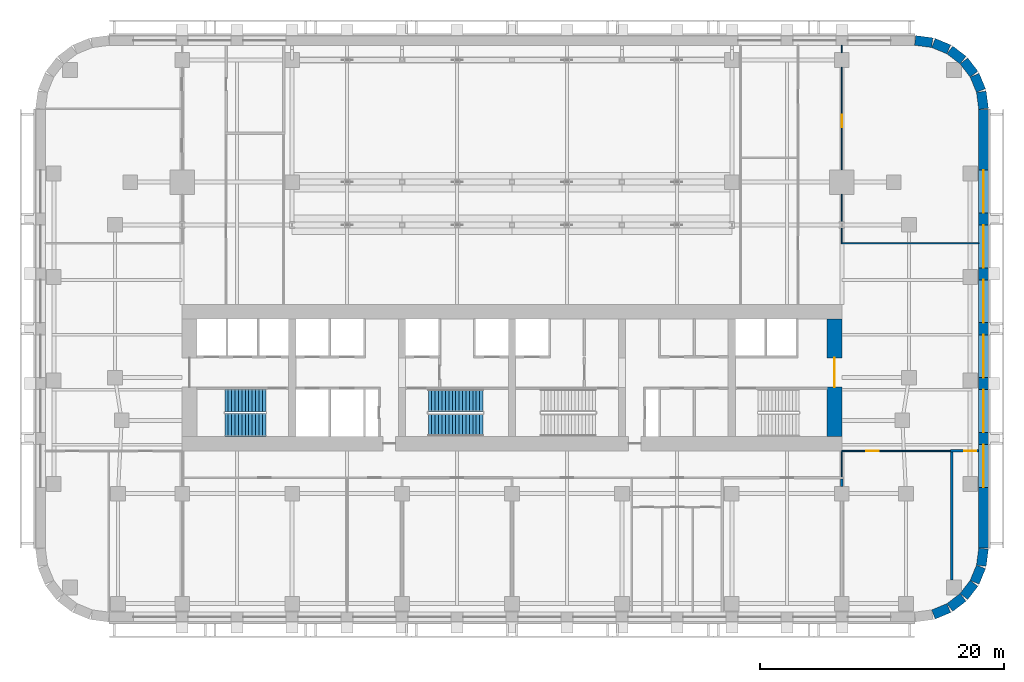
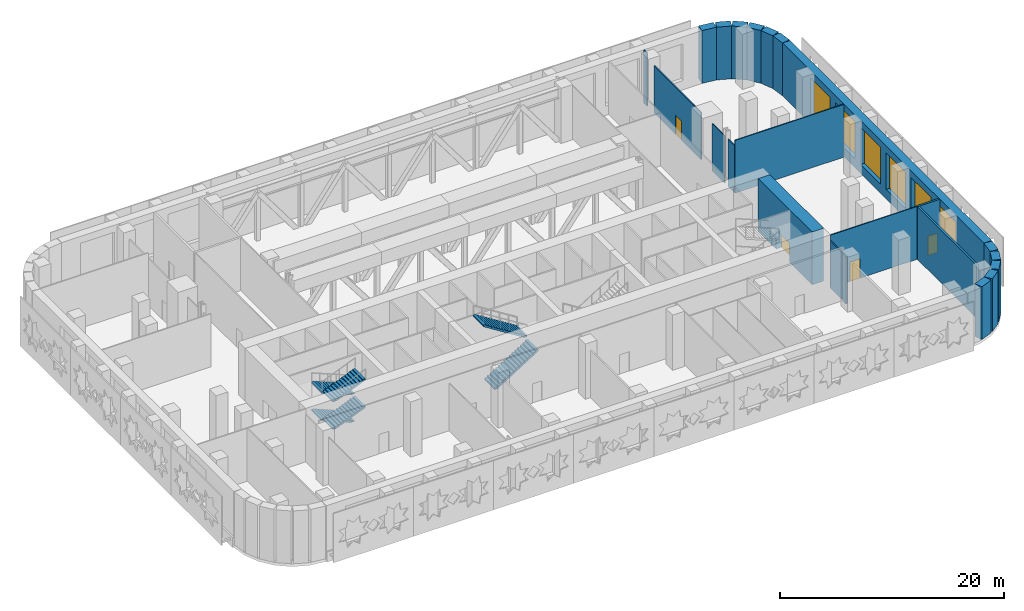
# One storey, part 9 of 15: 23 walls, 6 stair flights, 6 windows, 4 doors, 10 openings, 2 elements without a shape of their own.
"""IFC4 building model written with IfcOpenShell, lengths in metres."""

from ifc_helpers import new_model, si_unit, direction, frame, frame_2d, origin, place, context, subcontext, project, spatial, polyline, rectangle, outline, extrude, material, layer, layer_set, type_object, element, fill, aggregate, save


model = new_model("IFC4")

# Units and contexts
model_context = context("Model", 3, precision=1e-05, world=origin(), true_north=direction((0.0, 1.0)))
body_context = subcontext(model_context, "Body", "Model", "MODEL_VIEW")
ifc_project = project(units=[si_unit("LENGTHUNIT", "METRE"), si_unit("AREAUNIT", "SQUARE_METRE"), si_unit("VOLUMEUNIT", "CUBIC_METRE"), si_unit("PLANEANGLEUNIT", "RADIAN"), si_unit("MASSUNIT", "GRAM", prefix="KILO")], contexts=[model_context])

# Site, building, storey
site_placement = place(None, origin())
site = spatial("IfcSite", under=ifc_project, at=site_placement, CompositionType="ELEMENT")
building_placement = place(site_placement, origin())
building = spatial("IfcBuilding", under=site, at=building_placement, Name="Zellij Exchange Tower", CompositionType="ELEMENT")
storey_placement = place(building_placement, frame((0.0, 0.0, 33.0)))
storey = spatial("IfcBuildingStorey", under=building, at=storey_placement, Name="L05", CompositionType="ELEMENT", Elevation=33.0)

# Wall, opening, door
ifc_material_1 = material(Name="Concrete C70/85", Category="concrete")
ifc_layer_1 = layer(ifc_material_1, 1.199951171875)
ifc_layer_set_1 = layer_set([ifc_layer_1], Name="Concrete C70/85")
wall_type_1 = type_object("IfcWallType", Name="CORE-SW 1200 C70/85", PredefinedType="SHEAR", material=ifc_layer_set_1)
wall_1_placement = place(storey_placement, frame((26.39990234375, -12.800048828125, 0.0), z_axis=(0.0, 0.0, 1.0), x_axis=(0.0, 1.0, 0.0)))
wall_1 = element("IfcWall", 1, at=wall_1_placement, inside=storey, type_object=wall_type_1, Name="Core shear wall end e L05", PredefinedType="SHEAR", context=body_context, shape_type="SweptSolid", body=[
    extrude(rectangle(XDim=9.60009765625, YDim=1.199951171875, at=frame_2d((4.800048828125, 0.0))), origin(), (0.0, 0.0, 1.0), 5.75),
])
opening_1_placement = place(wall_1_placement, frame((4.011962890625, 0.0, 0.0)))
opening_1 = element("IfcOpeningElement", 2, at=opening_1_placement, cuts=wall_1, Name="Opening CA-05.26", PredefinedType="OPENING", context=body_context, shape_type="SweptSolid", body=[
    extrude(rectangle(XDim=2.39990234375, YDim=2.10009765625, at=frame_2d((1.199951171875, 1.050048828125))), frame((0.0, 0.61181640625, 0.0), z_axis=(0.0, -1.0, 0.0), x_axis=(1.0, 0.0, 0.0)), (0.0, 0.0, 1.0), 1.223876953125),
])
ifc_material_2 = material(Name="Hollow metal fire door")
door_type_1 = type_object("IfcDoorType", Name="CORE-D CE Core entrance door 2400x2100 20 MIN", OperationType="NOTDEFINED", PredefinedType="DOOR", material=ifc_material_2)
door_1_placement = place(opening_1_placement, origin())
door_1 = element("IfcDoor", 3, at=door_1_placement, inside=storey, type_object=door_type_1, Name="Core entrance door CA-05.26", OperationType="DOUBLE_DOOR_SINGLE_SWING", OverallHeight=2.10009765625, OverallWidth=2.39990234375, PredefinedType="DOOR", context=body_context, shape_type="SweptSolid", body=[
    extrude(rectangle(XDim=2.39990234375, YDim=2.10009765625, at=frame_2d((1.199951171875, 1.050048828125))), frame((0.0, 0.02490234375, 0.0), z_axis=(0.0, -1.0, 0.0), x_axis=(1.0, 0.0, 0.0)), (0.0, 0.0, 1.0), 0.050048828125),
])
fill(opening_1, door_1)

# Walls
ifc_material_3 = material(Name="Precast concrete C40/50", Category="concrete")
ifc_layer_2 = layer(ifc_material_3, 0.800048828125)
ifc_layer_set_2 = layer_set([ifc_layer_2], Name="Precast concrete C40/50")
wall_type_2 = type_object("IfcWallType", Name="ENV-EW1 Precast stone-piered wall 800", PredefinedType="SOLIDWALL", material=ifc_layer_set_2)
wall_2_placement = place(storey_placement, frame((34.497314453125, -27.3857421875, 0.0), z_axis=(0.0, 0.0, 1.0), x_axis=(0.923847774587, 0.38276009378, 0.0)))
element("IfcWall", 4, at=wall_2_placement, inside=storey, type_object=wall_type_2, Name="fac.L05.02", PredefinedType="SOLIDWALL", context=body_context, shape_type="SweptSolid", body=[
    extrude(rectangle(XDim=1.35546875, YDim=0.800048828125, at=frame_2d((0.677734375, 0.0))), origin(), (0.0, 0.0, 1.0), 5.75),
])
for number, where, z_axis, x_axis, name in (
    (5, (35.840087890625, -26.814697265625, 0.0), (0.0, 0.0, 1.0), (0.793272915452, 0.608866226366, 0.0), "fac.L05.03"),
    (6, (36.9892578125, -25.91552734375, 0.0), (0.0, 0.0, 1.0), (0.608866226366, 0.793272915452, 0.0), "fac.L05.04"),
):
    element("IfcWall", number, at=place(storey_placement, frame(where, z_axis=z_axis, x_axis=x_axis)), inside=storey, type_object=wall_type_2, Name=name, PredefinedType="SOLIDWALL", context=body_context, shape_type="SweptSolid", body=[
        extrude(rectangle(XDim=1.355712890625, YDim=0.800048828125, at=frame_2d((0.677734375, 0.0))), origin(), (0.0, 0.0, 1.0), 5.75),
    ])
wall_3_placement = place(storey_placement, frame((37.866943359375, -24.74951171875, 0.0), z_axis=(0.0, 0.0, 1.0), x_axis=(0.38276009378, 0.923847774587, 0.0)))
element("IfcWall", 7, at=wall_3_placement, inside=storey, type_object=wall_type_2, Name="fac.L05.05", PredefinedType="SOLIDWALL", context=body_context, shape_type="SweptSolid", body=[
    extrude(rectangle(XDim=1.35546875, YDim=0.800048828125, at=frame_2d((0.677734375, 0.0))), origin(), (0.0, 0.0, 1.0), 5.75),
])
wall_4_placement = place(storey_placement, frame((38.412841796875, -23.396240234375, 0.0), z_axis=(0.0, 0.0, 1.0), x_axis=(0.130517283865, 0.99144603414, 0.0)))
element("IfcWall", 8, at=wall_4_placement, inside=storey, type_object=wall_type_2, Name="fac.L05.06", PredefinedType="SOLIDWALL", context=body_context, shape_type="SweptSolid", body=[
    extrude(rectangle(XDim=1.408447265625, YDim=0.800048828125, at=frame_2d((0.7041015625, 0.0))), origin(), (0.0, 0.0, 1.0), 5.75),
])

# Wall, openings, windows
wall_5_placement = place(storey_placement, frame((38.60009765625, -21.947509765625, 0.0), z_axis=(0.0, 0.0, 1.0), x_axis=(0.0, 1.0, 0.0)))
wall_5 = element("IfcWall", 9, at=wall_5_placement, inside=storey, type_object=wall_type_2, Name="fac.L05.07", PredefinedType="SOLIDWALL", context=body_context, shape_type="SweptSolid", body=[
    extrude(rectangle(XDim=35.89501953125, YDim=0.800048828125, at=frame_2d((17.947509765625, 0.0))), origin(), (0.0, 0.0, 1.0), 5.75),
])
opening_2_placement = place(wall_5_placement, frame((4.9638671875, 0.0, 1.0)))
opening_2 = element("IfcOpeningElement", 10, at=opening_2_placement, cuts=wall_5, Name="Opening FP.15", PredefinedType="OPENING", context=body_context, shape_type="SweptSolid", body=[
    extrude(rectangle(XDim=3.5, YDim=4.0, at=frame_2d((1.75, 2.0))), frame((0.0, 0.412109375, 0.0), z_axis=(0.0, -1.0, 0.0), x_axis=(1.0, 0.0, 0.0)), (0.0, 0.0, 1.0), 0.823974609375),
])
opening_3_placement = place(wall_5_placement, frame((9.45751953125, 0.0, 1.0)))
opening_3 = element("IfcOpeningElement", 11, at=opening_3_placement, cuts=wall_5, Name="Opening FP.16", PredefinedType="OPENING", context=body_context, shape_type="SweptSolid", body=[
    extrude(rectangle(XDim=3.5, YDim=4.0, at=frame_2d((1.75, 2.0))), frame((0.0, 0.412109375, 0.0), z_axis=(0.0, -1.0, 0.0), x_axis=(1.0, 0.0, 0.0)), (0.0, 0.0, 1.0), 0.823974609375),
])
opening_4_placement = place(wall_5_placement, frame((13.950927734375, 0.0, 1.0)))
opening_4 = element("IfcOpeningElement", 12, at=opening_4_placement, cuts=wall_5, Name="Opening FP.17", PredefinedType="OPENING", context=body_context, shape_type="SweptSolid", body=[
    extrude(rectangle(XDim=3.5, YDim=4.0, at=frame_2d((1.75, 2.0))), frame((0.0, 0.412109375, 0.0), z_axis=(0.0, -1.0, 0.0), x_axis=(1.0, 0.0, 0.0)), (0.0, 0.0, 1.0), 0.823974609375),
])
opening_5_placement = place(wall_5_placement, frame((18.4443359375, 0.0, 1.0)))
opening_5 = element("IfcOpeningElement", 13, at=opening_5_placement, cuts=wall_5, Name="Opening FP.18", PredefinedType="OPENING", context=body_context, shape_type="SweptSolid", body=[
    extrude(rectangle(XDim=3.5, YDim=4.0, at=frame_2d((1.75, 2.0))), frame((0.0, 0.412109375, 0.0), z_axis=(0.0, -1.0, 0.0), x_axis=(1.0, 0.0, 0.0)), (0.0, 0.0, 1.0), 0.823974609375),
])
opening_6_placement = place(wall_5_placement, frame((22.937744140625, 0.0, 1.0)))
opening_6 = element("IfcOpeningElement", 14, at=opening_6_placement, cuts=wall_5, Name="Opening FP.19", PredefinedType="OPENING", context=body_context, shape_type="SweptSolid", body=[
    extrude(rectangle(XDim=3.5, YDim=4.0, at=frame_2d((1.75, 2.0))), frame((0.0, 0.412109375, 0.0), z_axis=(0.0, -1.0, 0.0), x_axis=(1.0, 0.0, 0.0)), (0.0, 0.0, 1.0), 0.823974609375),
])
opening_7_placement = place(wall_5_placement, frame((27.43115234375, 0.0, 1.0)))
opening_7 = element("IfcOpeningElement", 15, at=opening_7_placement, cuts=wall_5, Name="Opening FP.20", PredefinedType="OPENING", context=body_context, shape_type="SweptSolid", body=[
    extrude(rectangle(XDim=3.5, YDim=4.0, at=frame_2d((1.75, 2.0))), frame((0.0, 0.412109375, 0.0), z_axis=(0.0, -1.0, 0.0), x_axis=(1.0, 0.0, 0.0)), (0.0, 0.0, 1.0), 0.823974609375),
])
ifc_material_4 = material(Name="Aluminium frame with insulating glass", Category="aluminium")
window_type = type_object("IfcWindowType", Name="ENV-W2 Window 3500x4000", PartitioningType="SINGLE_PANEL", PredefinedType="WINDOW", material=ifc_material_4)
window_1_placement = place(opening_2_placement, origin())
window_1 = element("IfcWindow", 16, at=window_1_placement, inside=storey, type_object=window_type, Name="Window FP.15", OverallHeight=4.0, OverallWidth=3.5, PartitioningType="SINGLE_PANEL", PredefinedType="WINDOW", context=body_context, shape_type="SweptSolid", body=[
    extrude(rectangle(XDim=3.5, YDim=4.0, at=frame_2d((1.75, 2.0))), frame((0.0, 0.030029296875, 0.0), z_axis=(0.0, -1.0, 0.0), x_axis=(1.0, 0.0, 0.0)), (0.0, 0.0, 1.0), 0.06005859375),
])
fill(opening_2, window_1)
window_2_placement = place(opening_3_placement, origin())
window_2 = element("IfcWindow", 17, at=window_2_placement, inside=storey, type_object=window_type, Name="Window FP.16", OverallHeight=4.0, OverallWidth=3.5, PartitioningType="SINGLE_PANEL", PredefinedType="WINDOW", context=body_context, shape_type="SweptSolid", body=[
    extrude(rectangle(XDim=3.5, YDim=4.0, at=frame_2d((1.75, 2.0))), frame((0.0, 0.030029296875, 0.0), z_axis=(0.0, -1.0, 0.0), x_axis=(1.0, 0.0, 0.0)), (0.0, 0.0, 1.0), 0.06005859375),
])
fill(opening_3, window_2)
window_3_placement = place(opening_4_placement, origin())
window_3 = element("IfcWindow", 18, at=window_3_placement, inside=storey, type_object=window_type, Name="Window FP.17", OverallHeight=4.0, OverallWidth=3.5, PartitioningType="SINGLE_PANEL", PredefinedType="WINDOW", context=body_context, shape_type="SweptSolid", body=[
    extrude(rectangle(XDim=3.5, YDim=4.0, at=frame_2d((1.75, 2.0))), frame((0.0, 0.030029296875, 0.0), z_axis=(0.0, -1.0, 0.0), x_axis=(1.0, 0.0, 0.0)), (0.0, 0.0, 1.0), 0.06005859375),
])
fill(opening_4, window_3)
window_4_placement = place(opening_5_placement, origin())
window_4 = element("IfcWindow", 19, at=window_4_placement, inside=storey, type_object=window_type, Name="Window FP.18", OverallHeight=4.0, OverallWidth=3.5, PartitioningType="SINGLE_PANEL", PredefinedType="WINDOW", context=body_context, shape_type="SweptSolid", body=[
    extrude(rectangle(XDim=3.5, YDim=4.0, at=frame_2d((1.75, 2.0))), frame((0.0, 0.030029296875, 0.0), z_axis=(0.0, -1.0, 0.0), x_axis=(1.0, 0.0, 0.0)), (0.0, 0.0, 1.0), 0.06005859375),
])
fill(opening_5, window_4)
window_5_placement = place(opening_6_placement, origin())
window_5 = element("IfcWindow", 20, at=window_5_placement, inside=storey, type_object=window_type, Name="Window FP.19", OverallHeight=4.0, OverallWidth=3.5, PartitioningType="SINGLE_PANEL", PredefinedType="WINDOW", context=body_context, shape_type="SweptSolid", body=[
    extrude(rectangle(XDim=3.5, YDim=4.0, at=frame_2d((1.75, 2.0))), frame((0.0, 0.030029296875, 0.0), z_axis=(0.0, -1.0, 0.0), x_axis=(1.0, 0.0, 0.0)), (0.0, 0.0, 1.0), 0.06005859375),
])
fill(opening_6, window_5)
window_6_placement = place(opening_7_placement, origin())
window_6 = element("IfcWindow", 21, at=window_6_placement, inside=storey, type_object=window_type, Name="Window FP.20", OverallHeight=4.0, OverallWidth=3.5, PartitioningType="SINGLE_PANEL", PredefinedType="WINDOW", context=body_context, shape_type="SweptSolid", body=[
    extrude(rectangle(XDim=3.5, YDim=4.0, at=frame_2d((1.75, 2.0))), frame((0.0, 0.030029296875, 0.0), z_axis=(0.0, -1.0, 0.0), x_axis=(1.0, 0.0, 0.0)), (0.0, 0.0, 1.0), 0.06005859375),
])
fill(opening_7, window_6)

# Walls
wall_6_placement = place(storey_placement, frame((38.5966796875, 13.999755859375, 0.0), z_axis=(0.0, 0.0, 1.0), x_axis=(-0.130517283865, 0.99144603414, 0.0)))
element("IfcWall", 22, at=wall_6_placement, inside=storey, type_object=wall_type_2, Name="fac.L05.08", PredefinedType="SOLIDWALL", context=body_context, shape_type="SweptSolid", body=[
    extrude(rectangle(XDim=1.408447265625, YDim=0.800048828125, at=frame_2d((0.7041015625, 0.0))), origin(), (0.0, 0.0, 1.0), 5.75),
])
wall_7_placement = place(storey_placement, frame((38.3857421875, 15.497314453125, 0.0), z_axis=(0.0, 0.0, 1.0), x_axis=(-0.38276009378, 0.923847774587, 0.0)))
element("IfcWall", 23, at=wall_7_placement, inside=storey, type_object=wall_type_2, Name="fac.L05.09", PredefinedType="SOLIDWALL", context=body_context, shape_type="SweptSolid", body=[
    extrude(rectangle(XDim=1.35546875, YDim=0.800048828125, at=frame_2d((0.677734375, 0.0))), origin(), (0.0, 0.0, 1.0), 5.75),
])
for number, where, z_axis, x_axis, name in (
    (24, (37.814697265625, 16.840087890625, 0.0), (0.0, 0.0, 1.0), (-0.608866226366, 0.793272915452, 0.0), "fac.L05.10"),
    (25, (36.91552734375, 17.9892578125, 0.0), (0.0, 0.0, 1.0), (-0.793272915452, 0.608866226366, 0.0), "fac.L05.11"),
):
    element("IfcWall", number, at=place(storey_placement, frame(where, z_axis=z_axis, x_axis=x_axis)), inside=storey, type_object=wall_type_2, Name=name, PredefinedType="SOLIDWALL", context=body_context, shape_type="SweptSolid", body=[
        extrude(rectangle(XDim=1.355712890625, YDim=0.800048828125, at=frame_2d((0.677734375, 0.0))), origin(), (0.0, 0.0, 1.0), 5.75),
    ])
wall_8_placement = place(storey_placement, frame((35.74951171875, 18.866943359375, 0.0), z_axis=(0.0, 0.0, 1.0), x_axis=(-0.923847774587, 0.38276009378, 0.0)))
element("IfcWall", 26, at=wall_8_placement, inside=storey, type_object=wall_type_2, Name="fac.L05.12", PredefinedType="SOLIDWALL", context=body_context, shape_type="SweptSolid", body=[
    extrude(rectangle(XDim=1.35546875, YDim=0.800048828125, at=frame_2d((0.677734375, 0.0))), origin(), (0.0, 0.0, 1.0), 5.75),
])
wall_9_placement = place(storey_placement, frame((34.396240234375, 19.412841796875, 0.0), z_axis=(0.0, 0.0, 1.0), x_axis=(-0.99144603414, 0.130517283865, 0.0)))
element("IfcWall", 27, at=wall_9_placement, inside=storey, type_object=wall_type_2, Name="fac.L05.13", PredefinedType="SOLIDWALL", context=body_context, shape_type="SweptSolid", body=[
    extrude(rectangle(XDim=1.408447265625, YDim=0.800048828125, at=frame_2d((0.7041015625, 0.0))), origin(), (0.0, 0.0, 1.0), 5.75),
])
ifc_material_5 = material(Name="Blockwork partition", Category="masonry")
ifc_layer_3 = layer(ifc_material_5, 0.199951171875)
ifc_layer_set_3 = layer_set([ifc_layer_3], Name="Blockwork partition")
wall_type_3 = type_object("IfcWallType", Name="FIT-BLOCKWORK-200", PredefinedType="PARTITIONING", material=ifc_layer_set_3)
wall_10_placement = place(storey_placement, frame((27.0, -16.89990234375, 0.0), z_axis=(0.0, 0.0, 1.0), x_axis=(0.0, 1.0, 0.0)))
element("IfcWall", 28, at=wall_10_placement, inside=storey, type_object=wall_type_3, Name="FIT-BLOCKWORK-200 014", PredefinedType="PARTITIONING", context=body_context, shape_type="SweptSolid", body=[
    extrude(rectangle(XDim=0.599853515625, YDim=0.199951171875, at=frame_2d((0.2998046875, 0.0))), origin(), (0.0, 0.0, 1.0), 5.137939453125),
])
wall_11_placement = place(storey_placement, frame((36.0, -24.58203125, 0.0), z_axis=(0.0, 0.0, 1.0), x_axis=(0.0, 1.0, 0.0)))
element("IfcWall", 29, at=wall_11_placement, inside=storey, type_object=wall_type_3, Name="FIT-BLOCKWORK-200 016", PredefinedType="PARTITIONING", context=body_context, shape_type="SweptSolid", body=[
    extrude(rectangle(XDim=10.48193359375, YDim=0.199951171875, at=frame_2d((5.240966796875, 0.0))), origin(), (0.0, 0.0, 1.0), 5.75),
])

# Wall, opening, door
wall_12_placement = place(storey_placement, frame((35.89990234375, -14.0, 0.0), z_axis=(0.0, 0.0, 1.0), x_axis=(1.0, 0.0, 0.0)))
wall_12 = element("IfcWall", 30, at=wall_12_placement, inside=storey, type_object=wall_type_3, Name="FIT-BLOCKWORK-200 025", PredefinedType="PARTITIONING", context=body_context, shape_type="SweptSolid", body=[
    extrude(rectangle(XDim=2.300048828125, YDim=0.199951171875, at=frame_2d((1.14990234375, 0.0))), origin(), (0.0, 0.0, 1.0), 5.75),
])
opening_8_placement = place(wall_12_placement, frame((1.10009765625, 0.0, 0.0)))
opening_8 = element("IfcOpeningElement", 31, at=opening_8_placement, cuts=wall_12, Name="Opening P5.13", PredefinedType="OPENING", context=body_context, shape_type="SweptSolid", body=[
    extrude(rectangle(XDim=1.0, YDim=2.10009765625, at=frame_2d((0.5, 1.050048828125))), frame((0.0, 0.11181640625, 0.0), z_axis=(0.0, -1.0, 0.0), x_axis=(1.0, 0.0, 0.0)), (0.0, 0.0, 1.0), 0.223876953125),
])
ifc_material_6 = material(Name="Timber door set", Category="wood")
door_type_2 = type_object("IfcDoorType", Name="FIT-D2-WIDE-1000X2100", OperationType="SINGLE_SWING_LEFT", PredefinedType="DOOR", material=ifc_material_6)
door_2_placement = place(opening_8_placement, origin())
door_2 = element("IfcDoor", 32, at=door_2_placement, inside=storey, type_object=door_type_2, Name="Door P5.13", OperationType="SINGLE_SWING_LEFT", OverallHeight=2.10009765625, OverallWidth=1.0, PredefinedType="DOOR", context=body_context, shape_type="SweptSolid", body=[
    extrude(rectangle(XDim=1.0, YDim=2.10009765625, at=frame_2d((0.5, 1.050048828125))), frame((0.0, 0.02490234375, 0.0), z_axis=(0.0, -1.0, 0.0), x_axis=(1.0, 0.0, 0.0)), (0.0, 0.0, 1.0), 0.050048828125),
])
fill(opening_8, door_2)

# Wall
ifc_material_7 = material(Name="Gypsum board partition on steel studs", Category="steel")
ifc_layer_4 = layer(ifc_material_7, 0.10009765625)
ifc_layer_set_4 = layer_set([ifc_layer_4], Name="Gypsum board partition on steel studs")
wall_type_4 = type_object("IfcWallType", Name="FIT-PARTITION-100", PredefinedType="PARTITIONING", material=ifc_layer_set_4)
wall_13_placement = place(storey_placement, frame((27.0, -16.10009765625, 0.0), z_axis=(0.0, 0.0, 1.0), x_axis=(0.0, 1.0, 0.0)))
element("IfcWall", 33, at=wall_13_placement, inside=storey, type_object=wall_type_4, Name="FIT-PARTITION-100 022", PredefinedType="PARTITIONING", context=body_context, shape_type="SweptSolid", body=[
    extrude(rectangle(XDim=2.050048828125, YDim=0.10009765625, at=frame_2d((1.02490234375, 0.0))), origin(), (0.0, 0.0, 1.0), 5.137939453125),
])

# Wall, opening, door
wall_14_placement = place(storey_placement, frame((27.0, -14.0, 0.0), z_axis=(0.0, 0.0, 1.0), x_axis=(1.0, 0.0, 0.0)))
wall_14 = element("IfcWall", 34, at=wall_14_placement, inside=storey, type_object=wall_type_4, Name="FIT-PARTITION-100 024", PredefinedType="PARTITIONING", context=body_context, shape_type="SweptSolid", body=[
    extrude(rectangle(XDim=9.10009765625, YDim=0.10009765625, at=frame_2d((4.550048828125, 0.0))), origin(), (0.0, 0.0, 1.0), 5.75),
])
opening_9_placement = place(wall_14_placement, frame((2.0, 0.0, 0.0)))
opening_9 = element("IfcOpeningElement", 35, at=opening_9_placement, cuts=wall_14, Name="Opening P5.12", PredefinedType="OPENING", context=body_context, shape_type="SweptSolid", body=[
    extrude(rectangle(XDim=1.0, YDim=2.10009765625, at=frame_2d((0.5, 1.050048828125))), frame((0.0, 0.06201171875, 0.0), z_axis=(0.0, -1.0, 0.0), x_axis=(1.0, 0.0, 0.0)), (0.0, 0.0, 1.0), 0.1240234375),
])
door_3_placement = place(opening_9_placement, origin())
door_3 = element("IfcDoor", 36, at=door_3_placement, inside=storey, type_object=door_type_2, Name="Door P5.12", OperationType="SINGLE_SWING_RIGHT", OverallHeight=2.10009765625, OverallWidth=1.0, PredefinedType="DOOR", context=body_context, shape_type="SweptSolid", body=[
    extrude(rectangle(XDim=1.0, YDim=2.10009765625, at=frame_2d((0.5, 1.050048828125))), frame((0.0, 0.02490234375, 0.0), z_axis=(0.0, -1.0, 0.0), x_axis=(1.0, 0.0, 0.0)), (0.0, 0.0, 1.0), 0.050048828125),
])
fill(opening_9, door_3)

# Walls
wall_15_placement = place(storey_placement, frame((26.949951171875, 3.0, 0.0), z_axis=(0.0, 0.0, 1.0), x_axis=(1.0, 0.0, 0.0)))
element("IfcWall", 37, at=wall_15_placement, inside=storey, type_object=wall_type_4, Name="FIT-PARTITION-100 035", PredefinedType="PARTITIONING", context=body_context, shape_type="SweptSolid", body=[
    extrude(rectangle(XDim=11.25, YDim=0.10009765625, at=frame_2d((5.625, 0.0))), origin(), (0.0, 0.0, 1.0), 5.75),
])
wall_16_placement = place(storey_placement, frame((27.0, 3.050048828125, 0.0), z_axis=(0.0, 0.0, 1.0), x_axis=(0.0, 1.0, 0.0)))
element("IfcWall", 38, at=wall_16_placement, inside=storey, type_object=wall_type_4, Name="FIT-PARTITION-100 036", PredefinedType="PARTITIONING", context=body_context, shape_type="SweptSolid", body=[
    extrude(rectangle(XDim=1.16552734375, YDim=0.10009765625, at=frame_2d((0.582763671875, 0.0))), origin(), (0.0, 0.0, 1.0), 5.137939453125),
])
wall_17_placement = place(storey_placement, frame((27.0, 4.784423828125, 0.0), z_axis=(0.0, 0.0, 1.0), x_axis=(0.0, 1.0, 0.0)))
element("IfcWall", 39, at=wall_17_placement, inside=storey, type_object=wall_type_4, Name="FIT-PARTITION-100 037", PredefinedType="PARTITIONING", context=body_context, shape_type="SweptSolid", body=[
    extrude(rectangle(XDim=2.215576171875, YDim=0.10009765625, at=frame_2d((1.10791015625, 0.0))), origin(), (0.0, 0.0, 1.0), 5.137939453125),
])

# Wall, opening, door
wall_18_placement = place(storey_placement, frame((27.0, 9.0, 0.0), z_axis=(0.0, 0.0, 1.0), x_axis=(0.0, 1.0, 0.0)))
wall_18 = element("IfcWall", 40, at=wall_18_placement, inside=storey, type_object=wall_type_4, Name="FIT-PARTITION-100 038", PredefinedType="PARTITIONING", context=body_context, shape_type="SweptSolid", body=[
    extrude(rectangle(XDim=8.39990234375, YDim=0.10009765625, at=frame_2d((4.199951171875, 0.0))), origin(), (0.0, 0.0, 1.0), 5.137939453125),
])
opening_10_placement = place(wall_18_placement, frame((3.5, 0.0, 0.0)))
opening_10 = element("IfcOpeningElement", 41, at=opening_10_placement, cuts=wall_18, Name="Opening P5.17", PredefinedType="OPENING", context=body_context, shape_type="SweptSolid", body=[
    extrude(rectangle(XDim=1.0, YDim=2.10009765625, at=frame_2d((0.5, 1.050048828125))), frame((0.0, 0.06201171875, 0.0), z_axis=(0.0, -1.0, 0.0), x_axis=(1.0, 0.0, 0.0)), (0.0, 0.0, 1.0), 0.1240234375),
])
door_4_placement = place(opening_10_placement, origin())
door_4 = element("IfcDoor", 42, at=door_4_placement, inside=storey, type_object=door_type_2, Name="Door P5.17", OperationType="SINGLE_SWING_LEFT", OverallHeight=2.10009765625, OverallWidth=1.0, PredefinedType="DOOR", context=body_context, shape_type="SweptSolid", body=[
    extrude(rectangle(XDim=1.0, YDim=2.10009765625, at=frame_2d((0.5, 1.050048828125))), frame((0.0, 0.02490234375, 0.0), z_axis=(0.0, -1.0, 0.0), x_axis=(1.0, 0.0, 0.0)), (0.0, 0.0, 1.0), 0.050048828125),
])
fill(opening_10, door_4)

# Wall
wall_19_placement = place(storey_placement, frame((27.0, 18.60009765625, 0.0), z_axis=(0.0, 0.0, 1.0), x_axis=(0.0, 1.0, 0.0)))
element("IfcWall", 43, at=wall_19_placement, inside=storey, type_object=wall_type_4, Name="FIT-PARTITION-100 039", PredefinedType="PARTITIONING", context=body_context, shape_type="SweptSolid", body=[
    extrude(rectangle(XDim=0.599853515625, YDim=0.10009765625, at=frame_2d((0.2998046875, 0.0))), origin(), (0.0, 0.0, 1.0), 5.75),
])

# Stair, stair flights
ifc_material_8 = material(Name="Concrete C40/50", Category="concrete")
stair_type = type_object("IfcStairType", Name="CORE-ST exit stair 1850 wide", PredefinedType="HALF_TURN_STAIR", material=ifc_material_8)
stair_1_placement = place(storey_placement, origin())
stair_1 = element("IfcStair", 44, at=stair_1_placement, inside=storey, type_object=stair_type, Name="L05 exit stair ST1", PredefinedType="HALF_TURN_STAIR")
stair_flight_type_1 = type_object("IfcStairFlightType", Name="CORE-SF flight 1850 riser 115.4 going 280", PredefinedType="STRAIGHT", material=ifc_material_8)
stair_flight_1_placement = place(storey_placement, frame((-20.14990234375, -9.875, 0.0), z_axis=(0.0, 0.0, 1.0), x_axis=(-1.0, 0.0, 0.0)))
stair_flight_1 = element("IfcStairFlight", 45, at=stair_flight_1_placement, type_object=stair_flight_type_1, Name="ST1 flight 1", NumberOfRisers=13, NumberOfTreads=12, PredefinedType="STRAIGHT", RiserHeight=0.115384615, TreadLength=0.28, context=body_context, shape_type="SweptSolid", body=[
    extrude(outline(polyline([(0.0, 0.0), (0.0, 0.115478515625), (0.280029296875, 0.115478515625), (0.280029296875, 0.230712890625), (0.56005859375, 0.230712890625), (0.56005859375, 0.34619140625), (0.840087890625, 0.34619140625), (0.840087890625, 0.46142578125), (1.1201171875, 0.46142578125), (1.1201171875, 0.576904296875), (1.39990234375, 0.576904296875), (1.39990234375, 0.6923828125), (1.679931640625, 0.6923828125), (1.679931640625, 0.8076171875), (1.9599609375, 0.8076171875), (1.9599609375, 0.923095703125), (2.239990234375, 0.923095703125), (2.239990234375, 1.03857421875), (2.52001953125, 1.03857421875), (2.52001953125, 1.15380859375), (2.800048828125, 1.15380859375), (2.800048828125, 1.269287109375), (3.080078125, 1.269287109375), (3.080078125, 1.384521484375), (3.360107421875, 1.384521484375), (3.360107421875, 1.5), (3.360107421875, 1.222412109375), (0.3935546875, 0.0), (0.0, 0.0)])), frame((0.0, 0.925048828125, 0.0), z_axis=(0.0, -1.0, 0.0), x_axis=(1.0, 0.0, 0.0)), (0.0, 0.0, 1.0), 1.85009765625),
])
stair_flight_2_placement = place(storey_placement, frame((-23.510009765625, -11.875, 1.5), z_axis=(0.0, 0.0, 1.0), x_axis=(1.0, 0.0, 0.0)))
stair_flight_2 = element("IfcStairFlight", 46, at=stair_flight_2_placement, type_object=stair_flight_type_1, Name="ST1 flight 2", NumberOfRisers=13, NumberOfTreads=12, PredefinedType="STRAIGHT", RiserHeight=0.115384615, TreadLength=0.28, context=body_context, shape_type="SweptSolid", body=[
    extrude(outline(polyline([(0.0, 0.0), (0.0, 0.115478515625), (0.280029296875, 0.115478515625), (0.280029296875, 0.230712890625), (0.56005859375, 0.230712890625), (0.56005859375, 0.34619140625), (0.840087890625, 0.34619140625), (0.840087890625, 0.46142578125), (1.1201171875, 0.46142578125), (1.1201171875, 0.576904296875), (1.39990234375, 0.576904296875), (1.39990234375, 0.6923828125), (1.679931640625, 0.6923828125), (1.679931640625, 0.8076171875), (1.9599609375, 0.8076171875), (1.9599609375, 0.923095703125), (2.239990234375, 0.923095703125), (2.239990234375, 1.03857421875), (2.52001953125, 1.03857421875), (2.52001953125, 1.15380859375), (2.800048828125, 1.15380859375), (2.800048828125, 1.269287109375), (3.080078125, 1.269287109375), (3.080078125, 1.384521484375), (3.360107421875, 1.384521484375), (3.360107421875, 1.5), (3.360107421875, 1.222412109375), (0.3935546875, 0.0), (0.0, 0.0)])), frame((0.0, 0.925048828125, 0.0), z_axis=(0.0, -1.0, 0.0), x_axis=(1.0, 0.0, 0.0)), (0.0, 0.0, 1.0), 1.85009765625),
])
stair_flight_3_placement = place(storey_placement, frame((-20.14990234375, -9.875, 3.0), z_axis=(0.0, 0.0, 1.0), x_axis=(-1.0, 0.0, 0.0)))
stair_flight_3 = element("IfcStairFlight", 47, at=stair_flight_3_placement, type_object=stair_flight_type_1, Name="ST1 flight 3", NumberOfRisers=13, NumberOfTreads=12, PredefinedType="STRAIGHT", RiserHeight=0.115384615, TreadLength=0.28, context=body_context, shape_type="SweptSolid", body=[
    extrude(outline(polyline([(0.0, 0.0), (0.0, 0.115478515625), (0.280029296875, 0.115478515625), (0.280029296875, 0.230712890625), (0.56005859375, 0.230712890625), (0.56005859375, 0.34619140625), (0.840087890625, 0.34619140625), (0.840087890625, 0.46142578125), (1.1201171875, 0.46142578125), (1.1201171875, 0.576904296875), (1.39990234375, 0.576904296875), (1.39990234375, 0.6923828125), (1.679931640625, 0.6923828125), (1.679931640625, 0.8076171875), (1.9599609375, 0.8076171875), (1.9599609375, 0.923095703125), (2.239990234375, 0.923095703125), (2.239990234375, 1.03857421875), (2.52001953125, 1.03857421875), (2.52001953125, 1.15380859375), (2.800048828125, 1.15380859375), (2.800048828125, 1.269287109375), (3.080078125, 1.269287109375), (3.080078125, 1.384521484375), (3.360107421875, 1.384521484375), (3.360107421875, 1.5), (3.360107421875, 1.222412109375), (0.3935546875, 0.0), (0.0, 0.0)])), frame((0.0, 0.925048828125, 0.0), z_axis=(0.0, -1.0, 0.0), x_axis=(1.0, 0.0, 0.0)), (0.0, 0.0, 1.0), 1.85009765625),
])
stair_flight_4_placement = place(storey_placement, frame((-23.510009765625, -11.875, 4.5), z_axis=(0.0, 0.0, 1.0), x_axis=(1.0, 0.0, 0.0)))
stair_flight_4 = element("IfcStairFlight", 48, at=stair_flight_4_placement, type_object=stair_flight_type_1, Name="ST1 flight 4", NumberOfRisers=13, NumberOfTreads=12, PredefinedType="STRAIGHT", RiserHeight=0.115384615, TreadLength=0.28, context=body_context, shape_type="SweptSolid", body=[
    extrude(outline(polyline([(0.0, 0.0), (0.0, 0.115478515625), (0.280029296875, 0.115478515625), (0.280029296875, 0.230712890625), (0.56005859375, 0.230712890625), (0.56005859375, 0.34619140625), (0.840087890625, 0.34619140625), (0.840087890625, 0.46142578125), (1.1201171875, 0.46142578125), (1.1201171875, 0.576904296875), (1.39990234375, 0.576904296875), (1.39990234375, 0.6923828125), (1.679931640625, 0.6923828125), (1.679931640625, 0.8076171875), (1.9599609375, 0.8076171875), (1.9599609375, 0.923095703125), (2.239990234375, 0.923095703125), (2.239990234375, 1.03857421875), (2.52001953125, 1.03857421875), (2.52001953125, 1.15380859375), (2.800048828125, 1.15380859375), (2.800048828125, 1.269287109375), (3.080078125, 1.269287109375), (3.080078125, 1.384521484375), (3.360107421875, 1.384521484375), (3.360107421875, 1.5), (3.360107421875, 1.222412109375), (0.3935546875, 0.0), (0.0, 0.0)])), frame((0.0, 0.925048828125, 0.0), z_axis=(0.0, -1.0, 0.0), x_axis=(1.0, 0.0, 0.0)), (0.0, 0.0, 1.0), 1.85009765625),
])
aggregate(stair_1, [stair_flight_1, stair_flight_2, stair_flight_3, stair_flight_4])

stair_2_placement = place(storey_placement, origin())
stair_2 = element("IfcStair", 49, at=stair_2_placement, inside=storey, type_object=stair_type, Name="L05 exit stair ST2", PredefinedType="HALF_TURN_STAIR")
stair_flight_type_2 = type_object("IfcStairFlightType", Name="CORE-SF flight 1850 riser 176.5 going 280", PredefinedType="STRAIGHT", material=ifc_material_8)
stair_flight_5_placement = place(storey_placement, frame((-6.85009765625, -11.875, 0.0), z_axis=(0.0, 0.0, 1.0), x_axis=(1.0, 0.0, 0.0)))
stair_flight_5 = element("IfcStairFlight", 50, at=stair_flight_5_placement, type_object=stair_flight_type_2, Name="ST2 flight 1", NumberOfRisers=17, NumberOfTreads=16, PredefinedType="STRAIGHT", RiserHeight=0.176470588, TreadLength=0.28, context=body_context, shape_type="SweptSolid", body=[
    extrude(outline(polyline([(0.0, 0.0), (0.0, 0.176513671875), (0.280029296875, 0.176513671875), (0.280029296875, 0.35302734375), (0.56005859375, 0.35302734375), (0.56005859375, 0.529296875), (0.840087890625, 0.529296875), (0.840087890625, 0.705810546875), (1.1201171875, 0.705810546875), (1.1201171875, 0.88232421875), (1.39990234375, 0.88232421875), (1.39990234375, 1.058837890625), (1.679931640625, 1.058837890625), (1.679931640625, 1.2353515625), (1.9599609375, 1.2353515625), (1.9599609375, 1.411865234375), (2.239990234375, 1.411865234375), (2.239990234375, 1.588134765625), (2.52001953125, 1.588134765625), (2.52001953125, 1.7646484375), (2.800048828125, 1.7646484375), (2.800048828125, 1.941162109375), (3.080078125, 1.941162109375), (3.080078125, 2.11767578125), (3.360107421875, 2.11767578125), (3.360107421875, 2.294189453125), (3.639892578125, 2.294189453125), (3.639892578125, 2.470703125), (3.919921875, 2.470703125), (3.919921875, 2.64697265625), (4.199951171875, 2.64697265625), (4.199951171875, 2.823486328125), (4.47998046875, 2.823486328125), (4.47998046875, 3.0), (4.47998046875, 2.646240234375), (0.28125, 0.0), (0.0, 0.0)])), frame((0.0, 0.925048828125, 0.0), z_axis=(0.0, -1.0, 0.0), x_axis=(1.0, 0.0, 0.0)), (0.0, 0.0, 1.0), 1.85009765625),
])
stair_flight_6_placement = place(storey_placement, frame((-2.3701171875, -9.875, 3.0), z_axis=(0.0, 0.0, 1.0), x_axis=(-1.0, 0.0, 0.0)))
stair_flight_6 = element("IfcStairFlight", 51, at=stair_flight_6_placement, type_object=stair_flight_type_2, Name="ST2 flight 2", NumberOfRisers=17, NumberOfTreads=16, PredefinedType="STRAIGHT", RiserHeight=0.176470588, TreadLength=0.28, context=body_context, shape_type="SweptSolid", body=[
    extrude(outline(polyline([(0.0, 0.0), (0.0, 0.176513671875), (0.280029296875, 0.176513671875), (0.280029296875, 0.35302734375), (0.56005859375, 0.35302734375), (0.56005859375, 0.529296875), (0.840087890625, 0.529296875), (0.840087890625, 0.705810546875), (1.1201171875, 0.705810546875), (1.1201171875, 0.88232421875), (1.39990234375, 0.88232421875), (1.39990234375, 1.058837890625), (1.679931640625, 1.058837890625), (1.679931640625, 1.2353515625), (1.9599609375, 1.2353515625), (1.9599609375, 1.411865234375), (2.239990234375, 1.411865234375), (2.239990234375, 1.588134765625), (2.52001953125, 1.588134765625), (2.52001953125, 1.7646484375), (2.800048828125, 1.7646484375), (2.800048828125, 1.941162109375), (3.080078125, 1.941162109375), (3.080078125, 2.11767578125), (3.360107421875, 2.11767578125), (3.360107421875, 2.294189453125), (3.639892578125, 2.294189453125), (3.639892578125, 2.470703125), (3.919921875, 2.470703125), (3.919921875, 2.64697265625), (4.199951171875, 2.64697265625), (4.199951171875, 2.823486328125), (4.47998046875, 2.823486328125), (4.47998046875, 3.0), (4.47998046875, 2.646240234375), (0.28125, 0.0), (0.0, 0.0)])), frame((0.0, 0.925048828125, 0.0), z_axis=(0.0, -1.0, 0.0), x_axis=(1.0, 0.0, 0.0)), (0.0, 0.0, 1.0), 1.85009765625),
])
aggregate(stair_2, [stair_flight_5, stair_flight_6])

save(model, "model.ifc")
